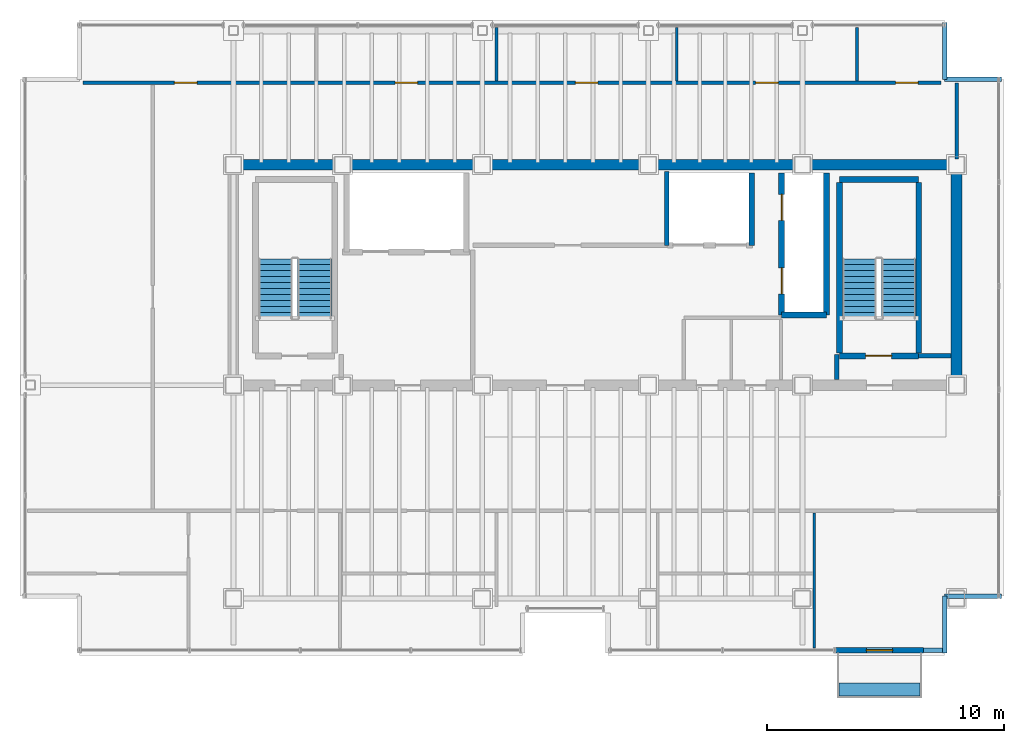
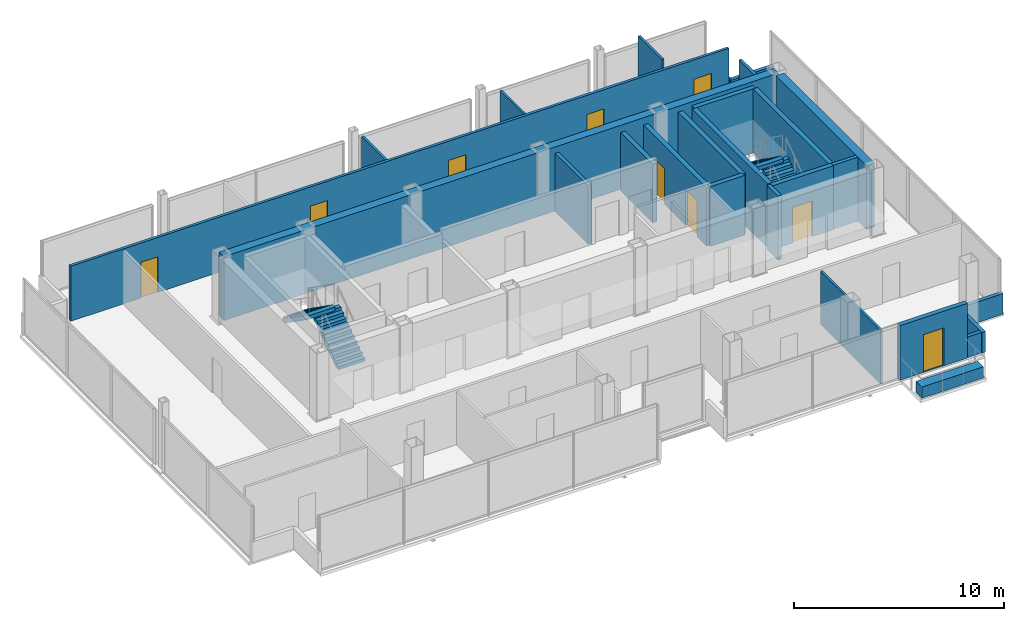
# One storey, part 16 of 17: 25 walls, 9 doors, 4 stair flights, 1 discrete accessory, 9 openings, 2 elements without a shape of their own.
"""IFC4 building model written with IfcOpenShell, lengths in metres."""

from ifc_helpers import new_model, si_unit, direction, frame, frame_2d, origin, origin_2d, place, context, subcontext, project, spatial, polyline, rectangle, outline, extrude, material, layer, layer_set, type_object, element, fill, aggregate, save


model = new_model("IFC4")

# Units and contexts
model_context = context("Model", 3, precision=1e-05, world=origin(), true_north=direction((0.0, 1.0)))
body_context = subcontext(model_context, "Body", "Model", "MODEL_VIEW")
ifc_project = project(units=[si_unit("LENGTHUNIT", "METRE"), si_unit("AREAUNIT", "SQUARE_METRE"), si_unit("VOLUMEUNIT", "CUBIC_METRE"), si_unit("PLANEANGLEUNIT", "RADIAN"), si_unit("MASSUNIT", "GRAM", prefix="KILO")], contexts=[model_context])

# Site, building, storey
site_placement = place(None, origin())
site = spatial("IfcSite", under=ifc_project, at=site_placement, CompositionType="ELEMENT")
building_placement = place(site_placement, origin())
building = spatial("IfcBuilding", under=site, at=building_placement, Name="Noeulbin Bourse Tower", CompositionType="ELEMENT")
storey_placement = place(building_placement, frame((0.0, 0.0, 273.5)))
storey = spatial("IfcBuildingStorey", under=building, at=storey_placement, Name="L68", CompositionType="ELEMENT", Elevation=273.5)

# Walls
ifc_material_1 = material(Name="Concrete C50/60", Category="concrete")
ifc_layer_1 = layer(ifc_material_1, 0.449951171875)
ifc_layer_set_1 = layer_set([ifc_layer_1], Name="Concrete C50/60")
wall_type_1 = type_object("IfcWallType", Name="WAL-CORE-450", PredefinedType="SHEAR", material=ifc_layer_set_1)
wall_1_placement = place(storey_placement, frame((13.5, 38.300048828125, 0.0), z_axis=(0.0, 0.0, 1.0), x_axis=(1.0, 0.0, 0.0)))
element("IfcWall", 1, at=wall_1_placement, inside=storey, type_object=wall_type_1, Name="Rear Core North Shear Wall L68", PredefinedType="SHEAR", context=body_context, shape_type="SweptSolid", body=[
    extrude(rectangle(XDim=30.5, YDim=0.449951171875, at=frame_2d((15.25, 0.0))), origin(), (0.0, 0.0, 1.0), 3.719970703125),
])
wall_2_placement = place(storey_placement, frame((44.0, 29.35009765625, 0.0), z_axis=(0.0, 0.0, 1.0), x_axis=(0.0, 1.0, 0.0)))
element("IfcWall", 2, at=wall_2_placement, inside=storey, type_object=wall_type_1, Name="Rear Core East Shear Wall L68", PredefinedType="SHEAR", context=body_context, shape_type="SweptSolid", body=[
    extrude(rectangle(XDim=8.599853515625, YDim=0.449951171875, at=frame_2d((4.2998046875, 0.0))), origin(), (0.0, 0.0, 1.0), 3.719970703125),
])

# Wall, opening, door
ifc_material_2 = material(Name="Precast Concrete C40/50", Category="concrete")
ifc_layer_2 = layer(ifc_material_2, 0.25)
ifc_layer_set_2 = layer_set([ifc_layer_2], Name="Precast Concrete C40/50")
wall_type_2 = type_object("IfcWallType", Name="WAL-EXT-250", PredefinedType="STANDARD", material=ifc_layer_set_2)
wall_3_placement = place(storey_placement, frame((38.89990234375, 17.820068359375, 0.0), z_axis=(0.0, 0.0, 1.0), x_axis=(1.0, 0.0, 0.0)))
wall_3 = element("IfcWall", 3, at=wall_3_placement, inside=storey, type_object=wall_type_2, Name="Balcony Threshold Wall L68", PredefinedType="STANDARD", context=body_context, shape_type="SweptSolid", body=[
    extrude(rectangle(XDim=3.7001953125, YDim=0.25, at=frame_2d((1.85009765625, 0.0))), origin(), (0.0, 0.0, 1.0), 3.179931640625),
])
opening_1_placement = place(wall_3_placement, frame((1.300048828125, 0.0, 0.0)))
opening_1 = element("IfcOpeningElement", 4, at=opening_1_placement, cuts=wall_3, Name="Opening BD-11", PredefinedType="OPENING", context=body_context, shape_type="SweptSolid", body=[
    extrude(rectangle(XDim=1.10009765625, YDim=2.199951171875, at=frame_2d((0.550048828125, 1.10009765625))), frame((0.0, 0.135009765625, 0.0), z_axis=(0.0, -1.0, 0.0), x_axis=(1.0, 0.0, 0.0)), (0.0, 0.0, 1.0), 0.27001953125),
])
ifc_material_3 = material(Name="Thermally Broken Aluminium Framed Glass", Category="aluminium")
door_type_1 = type_object("IfcDoorType", Name="DR-BAL-1100", OperationType="SINGLE_SWING_LEFT", PredefinedType="DOOR", material=ifc_material_3)
door_1_placement = place(opening_1_placement, origin())
door_1 = element("IfcDoor", 5, at=door_1_placement, inside=storey, type_object=door_type_1, Name="Tree-Balcony Access Door BD-L68", OperationType="SINGLE_SWING_RIGHT", OverallHeight=2.199951171875, OverallWidth=1.10009765625, PredefinedType="DOOR", context=body_context, shape_type="SweptSolid", body=[
    extrude(rectangle(XDim=1.10009765625, YDim=2.199951171875, at=frame_2d((0.550048828125, 1.10009765625))), frame((0.0, 0.02490234375, 0.0), z_axis=(0.0, -1.0, 0.0), x_axis=(1.0, 0.0, 0.0)), (0.0, 0.0, 1.0), 0.050048828125),
])
fill(opening_1, door_1)

# Walls
ifc_material_4 = material(Name="Concrete C40/50", Category="concrete")
ifc_layer_3 = layer(ifc_material_4, 0.199951171875)
ifc_layer_set_3 = layer_set([ifc_layer_3], Name="Concrete C40/50")
wall_type_3 = type_object("IfcWallType", Name="WAL-FIRE-200", PredefinedType="STANDARD", material=ifc_layer_set_3)
wall_4_placement = place(storey_placement, frame((42.39990234375, 30.239990234375, 0.0), z_axis=(0.0, 0.0, 1.0), x_axis=(1.0, 0.0, 0.0)))
element("IfcWall", 6, at=wall_4_placement, inside=storey, type_object=wall_type_3, Name="Interior Partition Wall L68-01", PredefinedType="STANDARD", context=body_context, shape_type="SweptSolid", body=[
    extrude(rectangle(XDim=1.364990234375, YDim=0.199951171875, at=frame_2d((0.6826171875, 0.0))), origin(), (0.0, 0.0, 1.0), 3.719970703125),
])
wall_5_placement = place(storey_placement, frame((38.949951171875, 29.235107421875, 0.0), z_axis=(0.0, 0.0, 1.0), x_axis=(0.0, 1.0, 0.0)))
element("IfcWall", 7, at=wall_5_placement, inside=storey, type_object=wall_type_3, Name="Interior Partition Wall L68-10", PredefinedType="STANDARD", context=body_context, shape_type="SweptSolid", body=[
    extrude(rectangle(XDim=1.06494140625, YDim=0.199951171875, at=frame_2d((0.532470703125, 0.0))), origin(), (0.0, 0.0, 1.0), 3.719970703125),
])
ifc_layer_4 = layer(ifc_material_4, 0.199951171875)
ifc_layer_set_4 = layer_set([ifc_layer_4], Name="Concrete C40/50")
wall_type_4 = type_object("IfcWallType", Name="WAL-PAR-200", PredefinedType="PARAPET", material=ifc_layer_set_4)
wall_6_placement = place(storey_placement, frame((42.60009765625, 17.820068359375, 0.0), z_axis=(0.0, 0.0, 1.0), x_axis=(1.0, 0.0, 0.0)))
element("IfcWall", 8, at=wall_6_placement, inside=storey, type_object=wall_type_4, Name="Perimeter Pier Spandrel Parapet L68-S1", PredefinedType="PARAPET", context=body_context, shape_type="SweptSolid", body=[
    extrude(rectangle(XDim=0.7998046875, YDim=0.199951171875, at=frame_2d((0.39990234375, 0.0))), origin(), (0.0, 0.0, 1.0), 1.199951171875),
])
wall_7_placement = place(storey_placement, frame((43.5, 17.699951171875, 0.0), z_axis=(0.0, 0.0, 1.0), x_axis=(0.0, 1.0, 0.0)))
element("IfcWall", 9, at=wall_7_placement, inside=storey, type_object=wall_type_4, Name="Corner Notch Parapet L68-SE1", PredefinedType="PARAPET", context=body_context, shape_type="SweptSolid", body=[
    extrude(rectangle(XDim=2.400146484375, YDim=0.199951171875, at=frame_2d((1.2001953125, 0.0))), origin(), (0.0, 0.0, 1.0), 1.199951171875),
])
wall_8_placement = place(storey_placement, frame((43.5, 20.10009765625, 0.0), z_axis=(0.0, 0.0, 1.0), x_axis=(1.0, 0.0, 0.0)))
element("IfcWall", 10, at=wall_8_placement, inside=storey, type_object=wall_type_4, Name="Corner Notch Parapet L68-SE2", PredefinedType="PARAPET", context=body_context, shape_type="SweptSolid", body=[
    extrude(rectangle(XDim=2.39990234375, YDim=0.199951171875, at=frame_2d((1.199951171875, 0.0))), origin(), (0.0, 0.0, 1.0), 1.199951171875),
])
wall_9_placement = place(storey_placement, frame((43.5, 44.300048828125, 0.0), z_axis=(0.0, 0.0, 1.0), x_axis=(0.0, -1.0, 0.0)))
element("IfcWall", 11, at=wall_9_placement, inside=storey, type_object=wall_type_4, Name="Corner Notch Parapet L68-NE1", PredefinedType="PARAPET", context=body_context, shape_type="SweptSolid", body=[
    extrude(rectangle(XDim=2.400146484375, YDim=0.199951171875, at=frame_2d((1.2001953125, 0.0))), origin(), (0.0, 0.0, 1.0), 1.199951171875),
])
wall_10_placement = place(storey_placement, frame((43.5, 41.89990234375, 0.0), z_axis=(0.0, 0.0, 1.0), x_axis=(1.0, 0.0, 0.0)))
element("IfcWall", 12, at=wall_10_placement, inside=storey, type_object=wall_type_4, Name="Corner Notch Parapet L68-NE2", PredefinedType="PARAPET", context=body_context, shape_type="SweptSolid", body=[
    extrude(rectangle(XDim=2.39990234375, YDim=0.199951171875, at=frame_2d((1.199951171875, 0.0))), origin(), (0.0, 0.0, 1.0), 1.199951171875),
])
ifc_material_5 = material(Name="Steel Stud Gypsum Partition", Category="steel")
ifc_layer_5 = layer(ifc_material_5, 0.1201171875)
ifc_layer_set_5 = layer_set([ifc_layer_5], Name="Steel Stud Gypsum Partition")
wall_type_5 = type_object("IfcWallType", Name="WAL-PRT-120", PredefinedType="PARTITIONING", material=ifc_layer_set_5)
wall_11_placement = place(storey_placement, frame((38.0, 17.909912109375, 0.0), z_axis=(0.0, 0.0, 1.0), x_axis=(0.0, 1.0, 0.0)))
element("IfcWall", 13, at=wall_11_placement, inside=storey, type_object=wall_type_5, Name="Interior Partition Wall L68-20", PredefinedType="PARTITIONING", context=body_context, shape_type="SweptSolid", body=[
    extrude(rectangle(XDim=5.705078125, YDim=0.1201171875, at=frame_2d((2.8525390625, 0.0))), origin(), (0.0, 0.0, 1.0), 3.10009765625),
])
wall_12_placement = place(storey_placement, frame((24.60009765625, 41.8349609375, 0.0), z_axis=(0.0, 0.0, 1.0), x_axis=(0.0, 1.0, 0.0)))
element("IfcWall", 14, at=wall_12_placement, inside=storey, type_object=wall_type_5, Name="Interior Partition Wall L68-23", PredefinedType="PARTITIONING", context=body_context, shape_type="SweptSolid", body=[
    extrude(rectangle(XDim=2.255126953125, YDim=0.1201171875, at=frame_2d((1.12744140625, 0.0))), origin(), (0.0, 0.0, 1.0), 3.199951171875),
])
wall_13_placement = place(storey_placement, frame((32.199951171875, 41.8349609375, 0.0), z_axis=(0.0, 0.0, 1.0), x_axis=(0.0, 1.0, 0.0)))
element("IfcWall", 15, at=wall_13_placement, inside=storey, type_object=wall_type_5, Name="Interior Partition Wall L68-24", PredefinedType="PARTITIONING", context=body_context, shape_type="SweptSolid", body=[
    extrude(rectangle(XDim=2.255126953125, YDim=0.1201171875, at=frame_2d((1.12744140625, 0.0))), origin(), (0.0, 0.0, 1.0), 3.2119140625),
])
wall_14_placement = place(storey_placement, frame((39.800048828125, 41.8349609375, 0.0), z_axis=(0.0, 0.0, 1.0), x_axis=(0.0, 1.0, 0.0)))
element("IfcWall", 16, at=wall_14_placement, inside=storey, type_object=wall_type_5, Name="Interior Partition Wall L68-25", PredefinedType="PARTITIONING", context=body_context, shape_type="SweptSolid", body=[
    extrude(rectangle(XDim=2.255126953125, YDim=0.1201171875, at=frame_2d((1.12744140625, 0.0))), origin(), (0.0, 0.0, 1.0), 3.719970703125),
])

# Wall, openings, doors
ifc_material_6 = material(Name="Steel Stud Acoustic Gypsum Board", Category="steel")
ifc_layer_6 = layer(ifc_material_6, 0.14990234375)
ifc_layer_set_6 = layer_set([ifc_layer_6], Name="Steel Stud Acoustic Gypsum Board")
wall_type_6 = type_object("IfcWallType", Name="WAL-PRT-150", PredefinedType="PARTITIONING", material=ifc_layer_set_6)
wall_15_placement = place(storey_placement, frame((7.159912109375, 41.75, 0.0), z_axis=(0.0, 0.0, 1.0), x_axis=(1.0, 0.0, 0.0)))
wall_15 = element("IfcWall", 17, at=wall_15_placement, inside=storey, type_object=wall_type_6, Name="Interior Partition Wall L68-08", PredefinedType="PARTITIONING", context=body_context, shape_type="SweptSolid", body=[
    extrude(rectangle(XDim=36.18017578125, YDim=0.14990234375, at=frame_2d((18.090087890625, 0.0))), origin(), (0.0, 0.0, 1.0), 3.199951171875),
])
opening_2_placement = place(wall_15_placement, frame((3.85498046875, 0.0, 0.0)))
opening_2 = element("IfcOpeningElement", 18, at=opening_2_placement, cuts=wall_15, Name="Opening ID-09", PredefinedType="OPENING", context=body_context, shape_type="SweptSolid", body=[
    extrude(rectangle(XDim=0.949951171875, YDim=2.080078125, at=frame_2d((0.47509765625, 1.0400390625))), frame((0.0, 0.0849609375, 0.0), z_axis=(0.0, -1.0, 0.0), x_axis=(1.0, 0.0, 0.0)), (0.0, 0.0, 1.0), 0.169921875),
])
opening_3_placement = place(wall_15_placement, frame((13.1650390625, 0.0, 0.0)))
opening_3 = element("IfcOpeningElement", 19, at=opening_3_placement, cuts=wall_15, Name="Opening ID-09", PredefinedType="OPENING", context=body_context, shape_type="SweptSolid", body=[
    extrude(rectangle(XDim=0.949951171875, YDim=2.080078125, at=frame_2d((0.47509765625, 1.0400390625))), frame((0.0, 0.0849609375, 0.0), z_axis=(0.0, -1.0, 0.0), x_axis=(1.0, 0.0, 0.0)), (0.0, 0.0, 1.0), 0.169921875),
])
opening_4_placement = place(wall_15_placement, frame((20.764892578125, 0.0, 0.0)))
opening_4 = element("IfcOpeningElement", 20, at=opening_4_placement, cuts=wall_15, Name="Opening ID-09", PredefinedType="OPENING", context=body_context, shape_type="SweptSolid", body=[
    extrude(rectangle(XDim=0.949951171875, YDim=2.080078125, at=frame_2d((0.47509765625, 1.0400390625))), frame((0.0, 0.0849609375, 0.0), z_axis=(0.0, -1.0, 0.0), x_axis=(1.0, 0.0, 0.0)), (0.0, 0.0, 1.0), 0.169921875),
])
opening_5_placement = place(wall_15_placement, frame((28.364990234375, 0.0, 0.0)))
opening_5 = element("IfcOpeningElement", 21, at=opening_5_placement, cuts=wall_15, Name="Opening ID-09", PredefinedType="OPENING", context=body_context, shape_type="SweptSolid", body=[
    extrude(rectangle(XDim=0.949951171875, YDim=2.080078125, at=frame_2d((0.47509765625, 1.0400390625))), frame((0.0, 0.0849609375, 0.0), z_axis=(0.0, -1.0, 0.0), x_axis=(1.0, 0.0, 0.0)), (0.0, 0.0, 1.0), 0.169921875),
])
opening_6_placement = place(wall_15_placement, frame((34.264892578125, 0.0, 0.0)))
opening_6 = element("IfcOpeningElement", 22, at=opening_6_placement, cuts=wall_15, Name="Opening ID-09", PredefinedType="OPENING", context=body_context, shape_type="SweptSolid", body=[
    extrude(rectangle(XDim=0.949951171875, YDim=2.080078125, at=frame_2d((0.47509765625, 1.0400390625))), frame((0.0, 0.0849609375, 0.0), z_axis=(0.0, -1.0, 0.0), x_axis=(1.0, 0.0, 0.0)), (0.0, 0.0, 1.0), 0.169921875),
])
ifc_material_7 = material(Name="Acoustic Solid-Core Timber", Category="wood")
door_type_2 = type_object("IfcDoorType", Name="DR-SINGLE-950", OperationType="SINGLE_SWING_LEFT", PredefinedType="DOOR", material=ifc_material_7)
door_2_placement = place(opening_2_placement, origin())
door_2 = element("IfcDoor", 23, at=door_2_placement, inside=storey, type_object=door_type_2, Name="Interior Door L68-18", OperationType="SINGLE_SWING_RIGHT", OverallHeight=2.080078125, OverallWidth=0.949951171875, PredefinedType="DOOR", context=body_context, shape_type="SweptSolid", body=[
    extrude(rectangle(XDim=0.949951171875, YDim=2.080078125, at=frame_2d((0.47509765625, 1.0400390625))), frame((0.0, 0.02490234375, 0.0), z_axis=(0.0, -1.0, 0.0), x_axis=(1.0, 0.0, 0.0)), (0.0, 0.0, 1.0), 0.050048828125),
])
fill(opening_2, door_2)
door_3_placement = place(opening_3_placement, origin())
door_3 = element("IfcDoor", 24, at=door_3_placement, inside=storey, type_object=door_type_2, Name="Interior Door L68-19", OperationType="SINGLE_SWING_LEFT", OverallHeight=2.080078125, OverallWidth=0.949951171875, PredefinedType="DOOR", context=body_context, shape_type="SweptSolid", body=[
    extrude(rectangle(XDim=0.949951171875, YDim=2.080078125, at=frame_2d((0.47509765625, 1.0400390625))), frame((0.0, 0.02490234375, 0.0), z_axis=(0.0, -1.0, 0.0), x_axis=(1.0, 0.0, 0.0)), (0.0, 0.0, 1.0), 0.050048828125),
])
fill(opening_3, door_3)
door_4_placement = place(opening_4_placement, origin())
door_4 = element("IfcDoor", 25, at=door_4_placement, inside=storey, type_object=door_type_2, Name="Interior Door L68-20", OperationType="SINGLE_SWING_RIGHT", OverallHeight=2.080078125, OverallWidth=0.949951171875, PredefinedType="DOOR", context=body_context, shape_type="SweptSolid", body=[
    extrude(rectangle(XDim=0.949951171875, YDim=2.080078125, at=frame_2d((0.47509765625, 1.0400390625))), frame((0.0, 0.02490234375, 0.0), z_axis=(0.0, -1.0, 0.0), x_axis=(1.0, 0.0, 0.0)), (0.0, 0.0, 1.0), 0.050048828125),
])
fill(opening_4, door_4)
door_5_placement = place(opening_5_placement, origin())
door_5 = element("IfcDoor", 26, at=door_5_placement, inside=storey, type_object=door_type_2, Name="Interior Door L68-21", OperationType="SINGLE_SWING_LEFT", OverallHeight=2.080078125, OverallWidth=0.949951171875, PredefinedType="DOOR", context=body_context, shape_type="SweptSolid", body=[
    extrude(rectangle(XDim=0.949951171875, YDim=2.080078125, at=frame_2d((0.47509765625, 1.0400390625))), frame((0.0, 0.02490234375, 0.0), z_axis=(0.0, -1.0, 0.0), x_axis=(1.0, 0.0, 0.0)), (0.0, 0.0, 1.0), 0.050048828125),
])
fill(opening_5, door_5)
door_6_placement = place(opening_6_placement, origin())
door_6 = element("IfcDoor", 27, at=door_6_placement, inside=storey, type_object=door_type_2, Name="Interior Door L68-22", OperationType="SINGLE_SWING_RIGHT", OverallHeight=2.080078125, OverallWidth=0.949951171875, PredefinedType="DOOR", context=body_context, shape_type="SweptSolid", body=[
    extrude(rectangle(XDim=0.949951171875, YDim=2.080078125, at=frame_2d((0.47509765625, 1.0400390625))), frame((0.0, 0.02490234375, 0.0), z_axis=(0.0, -1.0, 0.0), x_axis=(1.0, 0.0, 0.0)), (0.0, 0.0, 1.0), 0.050048828125),
])
fill(opening_6, door_6)

# Wall
wall_16_placement = place(storey_placement, frame((44.0, 38.534912109375, 0.0), z_axis=(0.0, 0.0, 1.0), x_axis=(0.0, 1.0, 0.0)))
element("IfcWall", 28, at=wall_16_placement, inside=storey, type_object=wall_type_6, Name="Interior Partition Wall L68-21", PredefinedType="PARTITIONING", context=body_context, shape_type="SweptSolid", body=[
    extrude(rectangle(XDim=3.205078125, YDim=0.14990234375, at=frame_2d((1.6025390625, 0.0))), origin(), (0.0, 0.0, 1.0), 2.300048828125),
])

# Wall, opening, door
ifc_layer_7 = layer(ifc_material_4, 0.25)
ifc_layer_set_7 = layer_set([ifc_layer_7], Name="Concrete C40/50")
wall_type_7 = type_object("IfcWallType", Name="WAL-SHFT-250", PredefinedType="STANDARD", material=ifc_layer_set_7)
wall_17_placement = place(storey_placement, frame((39.06005859375, 30.235107421875, 0.0), z_axis=(0.0, 0.0, 1.0), x_axis=(1.0, 0.0, 0.0)))
wall_17 = element("IfcWall", 29, at=wall_17_placement, inside=storey, type_object=wall_type_7, Name="Stair ST-2 South Shaft Wall L68", PredefinedType="STANDARD", context=body_context, shape_type="SweptSolid", body=[
    extrude(rectangle(XDim=3.33984375, YDim=0.25, at=frame_2d((1.669921875, 0.0))), origin(), (0.0, 0.0, 1.0), 3.719970703125),
])
opening_7_placement = place(wall_17_placement, frame((1.10009765625, 0.0, 0.0)))
opening_7 = element("IfcOpeningElement", 30, at=opening_7_placement, cuts=wall_17, Name="Opening FD-11", PredefinedType="OPENING", context=body_context, shape_type="SweptSolid", body=[
    extrude(rectangle(XDim=1.10009765625, YDim=2.080078125, at=frame_2d((0.550048828125, 1.0400390625))), frame((0.0, 0.135009765625, 0.0), z_axis=(0.0, -1.0, 0.0), x_axis=(1.0, 0.0, 0.0)), (0.0, 0.0, 1.0), 0.27001953125),
])
ifc_material_8 = material(Name="Fire-Rated Insulated Steel", Category="steel")
door_type_3 = type_object("IfcDoorType", Name="DR-FD60-1100", OperationType="SINGLE_SWING_LEFT", PredefinedType="DOOR", material=ifc_material_8)
door_7_placement = place(opening_7_placement, origin())
door_7 = element("IfcDoor", 31, at=door_7_placement, inside=storey, type_object=door_type_3, Name="Protected Stair Entry Door ST2-L68", OperationType="SINGLE_SWING_RIGHT", OverallHeight=2.080078125, OverallWidth=1.10009765625, PredefinedType="DOOR", context=body_context, shape_type="SweptSolid", body=[
    extrude(rectangle(XDim=1.10009765625, YDim=2.080078125, at=frame_2d((0.550048828125, 1.0400390625))), frame((0.0, 0.02490234375, 0.0), z_axis=(0.0, -1.0, 0.0), x_axis=(1.0, 0.0, 0.0)), (0.0, 0.0, 1.0), 0.050048828125),
])
fill(opening_7, door_7)

# Walls
wall_18_placement = place(storey_placement, frame((39.06005859375, 37.6689453125, 0.0), z_axis=(0.0, 0.0, 1.0), x_axis=(1.0, 0.0, 0.0)))
element("IfcWall", 32, at=wall_18_placement, inside=storey, type_object=wall_type_7, Name="Stair ST-2 North Shaft Wall L68", PredefinedType="STANDARD", context=body_context, shape_type="SweptSolid", body=[
    extrude(rectangle(XDim=3.33984375, YDim=0.25, at=frame_2d((1.669921875, 0.0))), origin(), (0.0, 0.0, 1.0), 3.719970703125),
])
for number, where, z_axis, x_axis, name in (
    (33, (39.054931640625, 30.360107421875, 0.0), (0.0, 0.0, 1.0), (0.0, 1.0, 0.0), "Stair ST-2 West Shaft Wall L68"),
    (34, (42.405029296875, 30.360107421875, 0.0), (0.0, 0.0, 1.0), (0.0, 1.0, 0.0), "Stair ST-2 East Shaft Wall L68"),
):
    element("IfcWall", number, at=place(storey_placement, frame(where, z_axis=z_axis, x_axis=x_axis)), inside=storey, type_object=wall_type_7, Name=name, PredefinedType="STANDARD", context=body_context, shape_type="SweptSolid", body=[
        extrude(rectangle(XDim=7.183837890625, YDim=0.25, at=frame_2d((3.591796875, 0.0))), origin(), (0.0, 0.0, 1.0), 3.719970703125),
    ])

# Wall, openings, doors
wall_19_placement = place(storey_placement, frame((36.6201171875, 31.949951171875, 0.0), z_axis=(0.0, 0.0, 1.0), x_axis=(0.0, 1.0, 0.0)))
wall_19 = element("IfcWall", 35, at=wall_19_placement, inside=storey, type_object=wall_type_7, Name="Service Lift Shaft Wall L68", PredefinedType="STANDARD", context=body_context, shape_type="SweptSolid", body=[
    extrude(rectangle(XDim=6.0, YDim=0.25, at=frame_2d((3.0, 0.0))), origin(), (0.0, 0.0, 1.0), 3.39990234375),
])
opening_8_placement = place(wall_19_placement, frame((0.89990234375, 0.0, 0.0)))
opening_8 = element("IfcOpeningElement", 36, at=opening_8_placement, cuts=wall_19, Name="Opening LD-11", PredefinedType="OPENING", context=body_context, shape_type="SweptSolid", body=[
    extrude(rectangle(XDim=1.10009765625, YDim=2.080078125, at=frame_2d((0.550048828125, 1.0400390625))), frame((0.0, 0.135009765625, 0.0), z_axis=(0.0, -1.0, 0.0), x_axis=(1.0, 0.0, 0.0)), (0.0, 0.0, 1.0), 0.27001953125),
])
opening_9_placement = place(wall_19_placement, frame((4.0, 0.0, 0.0)))
opening_9 = element("IfcOpeningElement", 37, at=opening_9_placement, cuts=wall_19, Name="Opening LD-11", PredefinedType="OPENING", context=body_context, shape_type="SweptSolid", body=[
    extrude(rectangle(XDim=1.10009765625, YDim=2.080078125, at=frame_2d((0.550048828125, 1.0400390625))), frame((0.0, 0.135009765625, 0.0), z_axis=(0.0, -1.0, 0.0), x_axis=(1.0, 0.0, 0.0)), (0.0, 0.0, 1.0), 0.27001953125),
])
ifc_material_9 = material(Name="Brushed Stainless Steel 316", Category="steel")
door_type_4 = type_object("IfcDoorType", Name="DR-LIFT-1100", OperationType="SLIDING_TO_LEFT", PredefinedType="DOOR", material=ifc_material_9)
door_8_placement = place(opening_8_placement, origin())
door_8 = element("IfcDoor", 38, at=door_8_placement, inside=storey, type_object=door_type_4, Name="Lift Landing Door LD-EL-01-L68", OperationType="SLIDING_TO_LEFT", OverallHeight=2.080078125, OverallWidth=1.10009765625, PredefinedType="DOOR", context=body_context, shape_type="SweptSolid", body=[
    extrude(rectangle(XDim=1.10009765625, YDim=2.080078125, at=frame_2d((0.550048828125, 1.0400390625))), frame((0.0, 0.02490234375, 0.0), z_axis=(0.0, -1.0, 0.0), x_axis=(1.0, 0.0, 0.0)), (0.0, 0.0, 1.0), 0.050048828125),
])
fill(opening_8, door_8)
door_9_placement = place(opening_9_placement, origin())
door_9 = element("IfcDoor", 39, at=door_9_placement, inside=storey, type_object=door_type_4, Name="Lift Landing Door LD-SV-01-L68", OperationType="SLIDING_TO_LEFT", OverallHeight=2.080078125, OverallWidth=1.10009765625, PredefinedType="DOOR", context=body_context, shape_type="SweptSolid", body=[
    extrude(rectangle(XDim=1.10009765625, YDim=2.080078125, at=frame_2d((0.550048828125, 1.0400390625))), frame((0.0, 0.02490234375, 0.0), z_axis=(0.0, -1.0, 0.0), x_axis=(1.0, 0.0, 0.0)), (0.0, 0.0, 1.0), 0.050048828125),
])
fill(opening_9, door_9)

# Walls
wall_20_placement = place(storey_placement, frame((38.52001953125, 31.949951171875, 0.0), z_axis=(0.0, 0.0, 1.0), x_axis=(0.0, 1.0, 0.0)))
element("IfcWall", 40, at=wall_20_placement, inside=storey, type_object=wall_type_7, Name="Service Lift East Shaft Wall L68", PredefinedType="STANDARD", context=body_context, shape_type="SweptSolid", body=[
    extrude(rectangle(XDim=6.0, YDim=0.25, at=frame_2d((3.0, 0.0))), origin(), (0.0, 0.0, 1.0), 3.47998046875),
])
wall_21_placement = place(storey_placement, frame((36.6201171875, 31.949951171875, 0.0), z_axis=(0.0, 0.0, 1.0), x_axis=(1.0, 0.0, 0.0)))
element("IfcWall", 41, at=wall_21_placement, inside=storey, type_object=wall_type_7, Name="Service Lift South Shaft Wall L68", PredefinedType="STANDARD", context=body_context, shape_type="SweptSolid", body=[
    extrude(rectangle(XDim=1.89990234375, YDim=0.25, at=frame_2d((0.949951171875, 0.0))), origin(), (0.0, 0.0, 1.0), 3.47998046875),
])
wall_22_placement = place(storey_placement, frame((35.360107421875, 34.89990234375, 0.0), z_axis=(0.0, 0.0, 1.0), x_axis=(0.0, 1.0, 0.0)))
element("IfcWall", 42, at=wall_22_placement, inside=storey, type_object=wall_type_7, Name="High-Rise Lift East Shaft Wall L68", PredefinedType="STANDARD", context=body_context, shape_type="SweptSolid", body=[
    extrude(rectangle(XDim=3.050048828125, YDim=0.25, at=frame_2d((1.52490234375, 0.0))), origin(), (0.0, 0.0, 1.0), 3.39990234375),
])
wall_23_placement = place(storey_placement, frame((31.780029296875, 34.89990234375, 0.0), z_axis=(0.0, 0.0, 1.0), x_axis=(0.0, 1.0, 0.0)))
element("IfcWall", 43, at=wall_23_placement, inside=storey, type_object=wall_type_7, Name="Hoistway Side Shaft Wall L68-PLHW", PredefinedType="STANDARD", context=body_context, shape_type="SweptSolid", body=[
    extrude(rectangle(XDim=3.1201171875, YDim=0.199951171875, at=frame_2d((1.56005859375, 0.0))), origin(), (0.0, 0.0, 1.0), 3.39990234375),
])

# Stair, stair flights
stair_type = type_object("IfcStairType", Name="STR-CORE-1560", PredefinedType="HALF_TURN_STAIR", material=ifc_material_4)
stair_1_placement = place(storey_placement, origin())
stair_1 = element("IfcStair", 44, at=stair_1_placement, inside=storey, type_object=stair_type, Name="L68 ST-1", PredefinedType="HALF_TURN_STAIR")
stair_flight_type = type_object("IfcStairFlightType", Name="SFL-CORE-1560", PredefinedType="STRAIGHT", material=ifc_material_4)
stair_flight_1_placement = place(storey_placement, frame((16.925048828125, 31.81005859375, 0.0), z_axis=(0.0, 0.0, 1.0), x_axis=(0.0, 1.0, 0.0)))
stair_flight_1 = element("IfcStairFlight", 45, at=stair_flight_1_placement, type_object=stair_flight_type, Name="ST-1 flight 1", NumberOfRisers=11, NumberOfTreads=10, PredefinedType="STRAIGHT", RiserHeight=0.177272727, TreadLength=0.252, context=body_context, shape_type="SweptSolid", body=[
    extrude(outline(polyline([(0.0, 0.0), (0.0, 0.17724609375), (0.251953125, 0.17724609375), (0.251953125, 0.3544921875), (0.50390625, 0.3544921875), (0.50390625, 0.53173828125), (0.756103515625, 0.53173828125), (0.756103515625, 0.708984375), (1.008056640625, 0.708984375), (1.008056640625, 0.886474609375), (1.260009765625, 0.886474609375), (1.260009765625, 1.063720703125), (1.511962890625, 1.063720703125), (1.511962890625, 1.240966796875), (1.763916015625, 1.240966796875), (1.763916015625, 1.418212890625), (2.01611328125, 1.418212890625), (2.01611328125, 1.595458984375), (2.26806640625, 1.595458984375), (2.26806640625, 1.772705078125), (2.52001953125, 1.772705078125), (2.52001953125, 1.949951171875), (2.52001953125, 1.552734375), (0.312744140625, 0.0), (0.0, 0.0)])), frame((0.0, 0.72509765625, 0.0), z_axis=(0.0, -1.0, 0.0), x_axis=(1.0, 0.0, 0.0)), (0.0, 0.0, 1.0), 1.449951171875),
])
stair_flight_2_placement = place(storey_placement, frame((15.27490234375, 34.330078125, 1.949951171875), z_axis=(0.0, 0.0, 1.0), x_axis=(0.0, -1.0, 0.0)))
stair_flight_2 = element("IfcStairFlight", 46, at=stair_flight_2_placement, type_object=stair_flight_type, Name="ST-1 flight 2", NumberOfRisers=11, NumberOfTreads=10, PredefinedType="STRAIGHT", RiserHeight=0.177272727, TreadLength=0.252, context=body_context, shape_type="SweptSolid", body=[
    extrude(outline(polyline([(0.0, 0.0), (0.0, 0.17724609375), (0.251953125, 0.17724609375), (0.251953125, 0.3544921875), (0.50390625, 0.3544921875), (0.50390625, 0.53173828125), (0.756103515625, 0.53173828125), (0.756103515625, 0.708984375), (1.008056640625, 0.708984375), (1.008056640625, 0.886474609375), (1.260009765625, 0.886474609375), (1.260009765625, 1.063720703125), (1.511962890625, 1.063720703125), (1.511962890625, 1.240966796875), (1.763916015625, 1.240966796875), (1.763916015625, 1.418212890625), (2.01611328125, 1.418212890625), (2.01611328125, 1.595458984375), (2.26806640625, 1.595458984375), (2.26806640625, 1.772705078125), (2.52001953125, 1.772705078125), (2.52001953125, 1.949951171875), (2.52001953125, 1.552734375), (0.312744140625, 0.0), (0.0, 0.0)])), frame((0.0, 0.72509765625, 0.0), z_axis=(0.0, -1.0, 0.0), x_axis=(1.0, 0.0, 0.0)), (0.0, 0.0, 1.0), 1.449951171875),
])
aggregate(stair_1, [stair_flight_1, stair_flight_2])

stair_2_placement = place(storey_placement, origin())
stair_2 = element("IfcStair", 47, at=stair_2_placement, inside=storey, type_object=stair_type, Name="L68 ST-2", PredefinedType="HALF_TURN_STAIR")
stair_flight_3_placement = place(storey_placement, frame((41.554931640625, 31.81005859375, 0.0), z_axis=(0.0, 0.0, 1.0), x_axis=(0.0, 1.0, 0.0)))
stair_flight_3 = element("IfcStairFlight", 48, at=stair_flight_3_placement, type_object=stair_flight_type, Name="ST-2 flight 1", NumberOfRisers=11, NumberOfTreads=10, PredefinedType="STRAIGHT", RiserHeight=0.177272727, TreadLength=0.252, context=body_context, shape_type="SweptSolid", body=[
    extrude(outline(polyline([(0.0, 0.0), (0.0, 0.17724609375), (0.251953125, 0.17724609375), (0.251953125, 0.3544921875), (0.50390625, 0.3544921875), (0.50390625, 0.53173828125), (0.756103515625, 0.53173828125), (0.756103515625, 0.708984375), (1.008056640625, 0.708984375), (1.008056640625, 0.886474609375), (1.260009765625, 0.886474609375), (1.260009765625, 1.063720703125), (1.511962890625, 1.063720703125), (1.511962890625, 1.240966796875), (1.763916015625, 1.240966796875), (1.763916015625, 1.418212890625), (2.01611328125, 1.418212890625), (2.01611328125, 1.595458984375), (2.26806640625, 1.595458984375), (2.26806640625, 1.772705078125), (2.52001953125, 1.772705078125), (2.52001953125, 1.949951171875), (2.52001953125, 1.552734375), (0.312744140625, 0.0), (0.0, 0.0)])), frame((0.0, 0.72509765625, 0.0), z_axis=(0.0, -1.0, 0.0), x_axis=(1.0, 0.0, 0.0)), (0.0, 0.0, 1.0), 1.449951171875),
])
stair_flight_4_placement = place(storey_placement, frame((39.905029296875, 34.330078125, 1.949951171875), z_axis=(0.0, 0.0, 1.0), x_axis=(0.0, -1.0, 0.0)))
stair_flight_4 = element("IfcStairFlight", 49, at=stair_flight_4_placement, type_object=stair_flight_type, Name="ST-2 flight 2", NumberOfRisers=11, NumberOfTreads=10, PredefinedType="STRAIGHT", RiserHeight=0.177272727, TreadLength=0.252, context=body_context, shape_type="SweptSolid", body=[
    extrude(outline(polyline([(0.0, 0.0), (0.0, 0.17724609375), (0.251953125, 0.17724609375), (0.251953125, 0.3544921875), (0.50390625, 0.3544921875), (0.50390625, 0.53173828125), (0.756103515625, 0.53173828125), (0.756103515625, 0.708984375), (1.008056640625, 0.708984375), (1.008056640625, 0.886474609375), (1.260009765625, 0.886474609375), (1.260009765625, 1.063720703125), (1.511962890625, 1.063720703125), (1.511962890625, 1.240966796875), (1.763916015625, 1.240966796875), (1.763916015625, 1.418212890625), (2.01611328125, 1.418212890625), (2.01611328125, 1.595458984375), (2.26806640625, 1.595458984375), (2.26806640625, 1.772705078125), (2.52001953125, 1.772705078125), (2.52001953125, 1.949951171875), (2.52001953125, 1.552734375), (0.312744140625, 0.0), (0.0, 0.0)])), frame((0.0, 0.72509765625, 0.0), z_axis=(0.0, -1.0, 0.0), x_axis=(1.0, 0.0, 0.0)), (0.0, 0.0, 1.0), 1.449951171875),
])
aggregate(stair_2, [stair_flight_3, stair_flight_4])

# Discrete accessory
ifc_material_10 = material(Name="Architectural GFRC Concrete C40/50", Category="concrete")
ifc_layer_8 = layer(ifc_material_10, 0.64990234375)
ifc_layer_set_8 = layer_set([ifc_layer_8], Name="Architectural GFRC Concrete C40/50")
discrete_accessory_type = type_object("IfcDiscreteAccessoryType", Name="PLANTER-BOX-3600", PredefinedType="USERDEFINED", material=ifc_layer_set_8)
discrete_accessory_placement = place(storey_placement, frame((40.75, 16.159912109375, 0.0), z_axis=(0.0, 0.0, 1.0), x_axis=(1.0, 0.0, 0.0)))
element("IfcDiscreteAccessory", 50, at=discrete_accessory_placement, inside=storey, type_object=discrete_accessory_type, Name="Integrated Balcony Tree Planter Box L68", ObjectType="PLANTER", PredefinedType="USERDEFINED", context=body_context, shape_type="SweptSolid", body=[
    extrude(rectangle(XDim=3.39990234375, YDim=0.550048828125, at=origin_2d()), origin(), (0.0, 0.0, 1.0), 0.64990234375),
])

save(model, "model.ifc")
